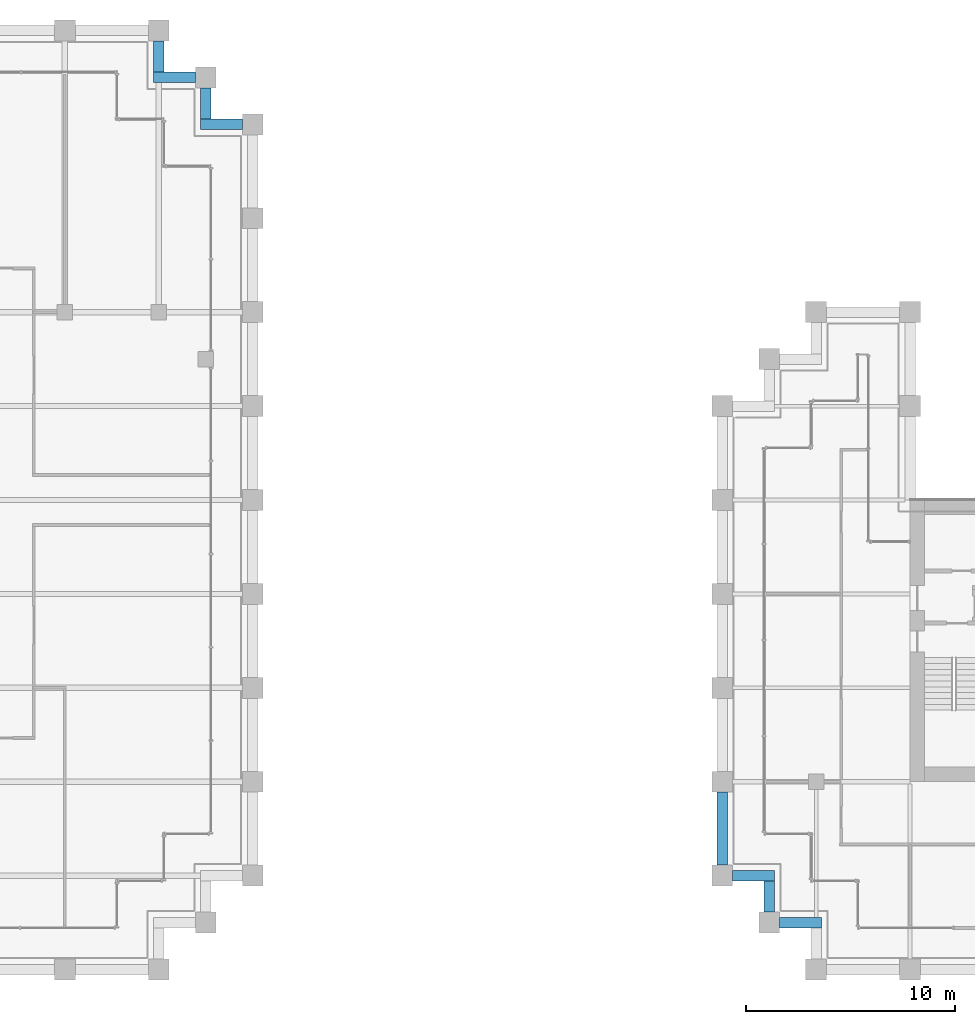
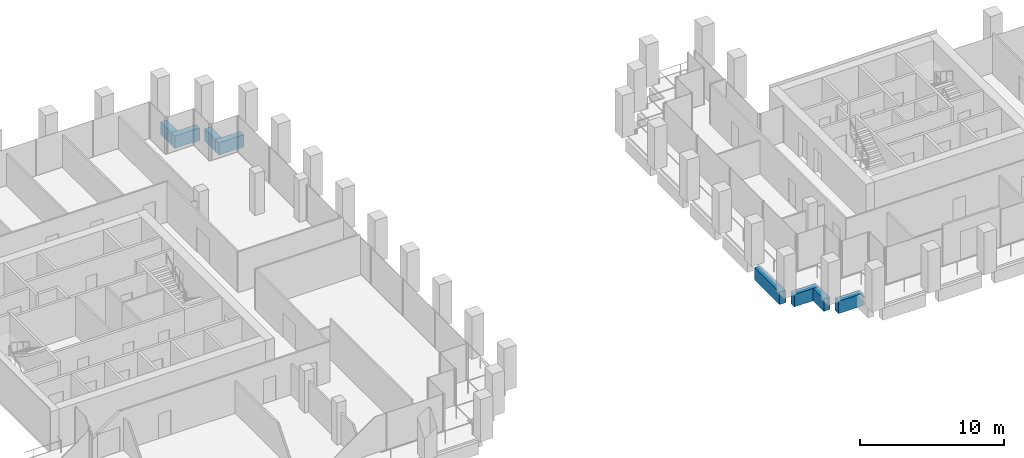
# One storey, part 27 of 46: 8 beams.
"""IFC4 building model written with IfcOpenShell, lengths in metres."""

from ifc_helpers import new_model, si_unit, direction, frame, origin, origin_2d, place, context, subcontext, project, spatial, rectangle, extrude, material, material_profile, profile_set, type_object, element, save


model = new_model("IFC4")

# Units and contexts
model_context = context("Model", 3, precision=1e-05, world=origin(), true_north=direction((0.0, 1.0)))
body_context = subcontext(model_context, "Body", "Model", "MODEL_VIEW")
ifc_project = project(units=[si_unit("LENGTHUNIT", "METRE"), si_unit("AREAUNIT", "SQUARE_METRE"), si_unit("VOLUMEUNIT", "CUBIC_METRE"), si_unit("PLANEANGLEUNIT", "RADIAN"), si_unit("MASSUNIT", "GRAM", prefix="KILO")], contexts=[model_context])

# Site, building, storey
site_placement = place(None, origin())
site = spatial("IfcSite", under=ifc_project, at=site_placement, CompositionType="ELEMENT")
building_placement = place(site_placement, origin())
building = spatial("IfcBuilding", under=site, at=building_placement, Name="Altepetl Exchange Towers", CompositionType="ELEMENT")
storey_placement = place(building_placement, frame((0.0, 0.0, 128.0)))
storey = spatial("IfcBuildingStorey", under=building, at=storey_placement, Name="L31", CompositionType="ELEMENT", Elevation=128.0)

# Beams
ifc_material_1 = material(Name="Concrete C50/60 precast with cantera rosa facing", Category="concrete")
ifc_material_profile_1 = material_profile(ifc_material_1, rectangle(XDim=0.5, YDim=1.050048828125, at=origin_2d()), Name="500 x 1050")
ifc_profile_set_1 = profile_set([ifc_material_profile_1], Name="Concrete C50/60 precast with cantera rosa facing")
beam_type_1 = type_object("IfcBeamType", Name="Spandrel beam 500x1050 cantera rosa", PredefinedType="SPANDREL", material=ifc_profile_set_1)
beam_1_placement = place(storey_placement, frame((71.5, 67.5, -0.675048828125), z_axis=(-1.0, 0.0, 0.0), x_axis=(0.0, -1.0, 0.0)))
element("IfcBeam", 1, at=beam_1_placement, inside=storey, type_object=beam_type_1, Name="sp:A:L31:020", PredefinedType="SPANDREL", context=body_context, shape_type="SweptSolid", body=[
    extrude(rectangle(XDim=0.5, YDim=1.050048828125, at=origin_2d()), origin(), (0.0, 0.0, 1.0), 2.0),
])
beam_2_placement = place(storey_placement, frame((69.75, 67.75, -0.675048828125), z_axis=(0.0, 1.0, 0.0), x_axis=(-1.0, 0.0, 0.0)))
element("IfcBeam", 2, at=beam_2_placement, inside=storey, type_object=beam_type_1, Name="sp:A:L31:021", PredefinedType="SPANDREL", context=body_context, shape_type="SweptSolid", body=[
    extrude(rectangle(XDim=0.5, YDim=1.050048828125, at=origin_2d()), origin(), (0.0, 0.0, 1.0), 1.5),
])
beam_3_placement = place(storey_placement, frame((69.25, 69.75, -0.675048828125), z_axis=(-1.0, 0.0, 0.0), x_axis=(0.0, -1.0, 0.0)))
element("IfcBeam", 3, at=beam_3_placement, inside=storey, type_object=beam_type_1, Name="sp:A:L31:022", PredefinedType="SPANDREL", context=body_context, shape_type="SweptSolid", body=[
    extrude(rectangle(XDim=0.5, YDim=1.050048828125, at=origin_2d()), origin(), (0.0, 0.0, 1.0), 2.0),
])
beam_4_placement = place(storey_placement, frame((67.5, 70.0, -0.675048828125), z_axis=(0.0, 1.0, 0.0), x_axis=(-1.0, 0.0, 0.0)))
element("IfcBeam", 4, at=beam_4_placement, inside=storey, type_object=beam_type_1, Name="sp:A:L31:023", PredefinedType="SPANDREL", context=body_context, shape_type="SweptSolid", body=[
    extrude(rectangle(XDim=0.5, YDim=1.050048828125, at=origin_2d()), origin(), (0.0, 0.0, 1.0), 1.5),
])
ifc_material_2 = material(Name="Concrete C50/60 precast with tezontle facing", Category="concrete")
ifc_material_profile_2 = material_profile(ifc_material_2, rectangle(XDim=0.5, YDim=1.050048828125, at=origin_2d()), Name="500 x 1050")
ifc_profile_set_2 = profile_set([ifc_material_profile_2], Name="Concrete C50/60 precast with tezontle facing")
beam_type_2 = type_object("IfcBeamType", Name="Spandrel beam 500x1050 tezontle", PredefinedType="SPANDREL", material=ifc_profile_set_2)
beam_5_placement = place(storey_placement, frame((94.5, 35.5, -0.675048828125), z_axis=(0.0, -1.0, 0.0), x_axis=(1.0, 0.0, 0.0)))
element("IfcBeam", 5, at=beam_5_placement, inside=storey, type_object=beam_type_2, Name="sp:B:L31:026", PredefinedType="SPANDREL", context=body_context, shape_type="SweptSolid", body=[
    extrude(rectangle(XDim=0.5, YDim=1.050048828125, at=origin_2d()), origin(), (0.0, 0.0, 1.0), 3.5),
])
beam_6_placement = place(storey_placement, frame((95.0, 31.5, -0.675048828125), z_axis=(1.0, 0.0, 0.0), x_axis=(0.0, 1.0, 0.0)))
element("IfcBeam", 6, at=beam_6_placement, inside=storey, type_object=beam_type_2, Name="sp:B:L31:027", PredefinedType="SPANDREL", context=body_context, shape_type="SweptSolid", body=[
    extrude(rectangle(XDim=0.5, YDim=1.050048828125, at=origin_2d()), origin(), (0.0, 0.0, 1.0), 2.0),
])
beam_7_placement = place(storey_placement, frame((96.75, 31.25, -0.675048828125), z_axis=(0.0, -1.0, 0.0), x_axis=(1.0, 0.0, 0.0)))
element("IfcBeam", 7, at=beam_7_placement, inside=storey, type_object=beam_type_2, Name="sp:B:L31:028", PredefinedType="SPANDREL", context=body_context, shape_type="SweptSolid", body=[
    extrude(rectangle(XDim=0.5, YDim=1.050048828125, at=origin_2d()), origin(), (0.0, 0.0, 1.0), 1.5),
])
beam_8_placement = place(storey_placement, frame((97.25, 29.25, -0.675048828125), z_axis=(1.0, 0.0, 0.0), x_axis=(0.0, 1.0, 0.0)))
element("IfcBeam", 8, at=beam_8_placement, inside=storey, type_object=beam_type_2, Name="sp:B:L31:029", PredefinedType="SPANDREL", context=body_context, shape_type="SweptSolid", body=[
    extrude(rectangle(XDim=0.5, YDim=1.050048828125, at=origin_2d()), origin(), (0.0, 0.0, 1.0), 2.0),
])

save(model, "model.ifc")
